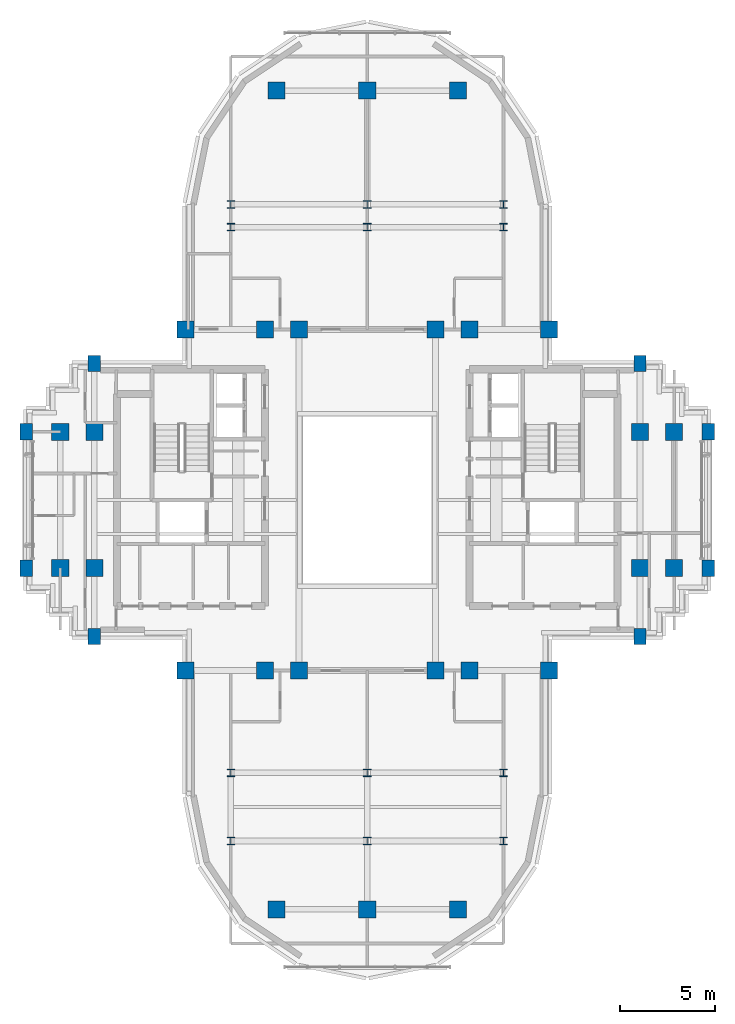
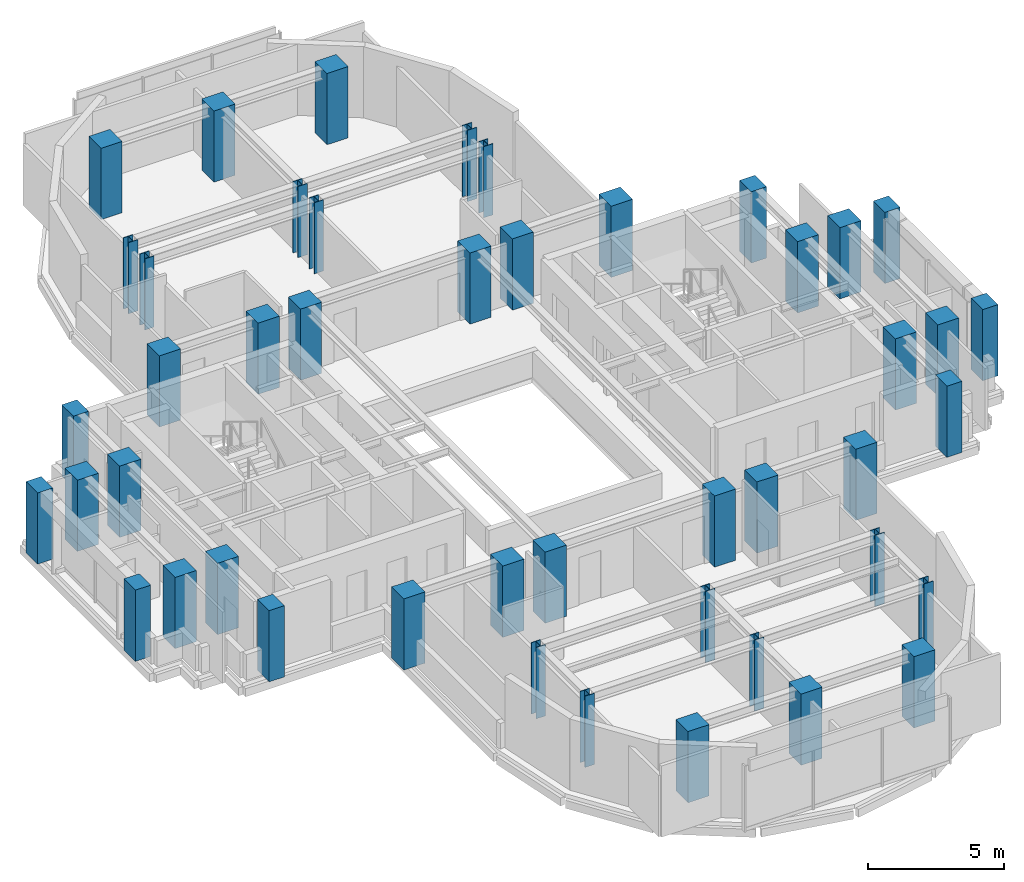
# One storey, part 1 of 12: 46 columns.
"""IFC4 building model written with IfcOpenShell, lengths in metres."""

import ifcopenshell
import ifcopenshell.guid

model = None  # the IFC model being written
_history = None  # IfcOwnerHistory: only IFC2X3 demands one
_inside = {}  # id of a spatial element -> (the spatial element, [elements in it])
_under = {}  # id of a project, library or spatial element -> (it, [spatial elements below it])
_declared = {}  # id of a project -> (the project, [libraries it declares])
_typed = {}  # id of a type object -> (the type object, [elements of that type])
_made_of = {}  # id of a material, layer set ... -> (it, [elements and type objects made of it])


def new_model(schema):
    """Start an empty IFC model of exactly this schema.

    Asked for "IFC4X3", IfcOpenShell would pick the latest addendum, in which some entities
    have other attributes; the version numbers below select the first issue.
    IFC2X3 requires an IfcOwnerHistory on every rooted entity: one is made here for all.
    """
    global model, _history
    if schema == "IFC4X3":
        model = ifcopenshell.file(schema_version=(4, 3, 0, 0))
    else:
        model = ifcopenshell.file(schema=schema)
    _inside.clear()
    _under.clear()
    _declared.clear()
    _typed.clear()
    _made_of.clear()
    _history = None
    if model.schema == "IFC2X3":
        org = make("IfcOrganization", Name="unknown")
        user = make(
            "IfcPersonAndOrganization",
            ThePerson=make("IfcPerson", FamilyName="unknown"),
            TheOrganization=org,
        )
        app = make(
            "IfcApplication",
            ApplicationDeveloper=org,
            Version="unknown",
            ApplicationFullName="unknown",
            ApplicationIdentifier="unknown",
        )
        _history = make(
            "IfcOwnerHistory",
            OwningUser=user,
            OwningApplication=app,
            ChangeAction="ADDED",
            CreationDate=0,
        )
    return model


def make(cls, **values):
    """One entity of the class cls with the attributes given. An attribute that is None is left unset."""
    return model.create_entity(
        cls, **{name: value for name, value in values.items() if value is not None}
    )


def rooted(cls, **values):
    """An entity with a GlobalId (a new one), such as an element, a storey or a relation."""
    return make(cls, GlobalId=ifcopenshell.guid.new(), OwnerHistory=_history, **values)


def si_unit(unit_type, name, prefix=None):
    """IfcSIUnit, for example si_unit("LENGTHUNIT", "METRE", prefix="MILLI")."""
    return make("IfcSIUnit", UnitType=unit_type, Prefix=prefix, Name=name)


def assignment(units):
    """IfcUnitAssignment: the units of a project."""
    return None if units is None else make("IfcUnitAssignment", Units=units)


def point(xyz):
    """IfcCartesianPoint."""
    return None if xyz is None else make("IfcCartesianPoint", Coordinates=xyz)


def direction(xyz):
    """IfcDirection."""
    return None if xyz is None else make("IfcDirection", DirectionRatios=xyz)


def frame(location, z_axis=None, x_axis=None):
    """IfcAxis2Placement3D, a coordinate frame: its origin and axes. An axis left out is left unset."""
    return make(
        "IfcAxis2Placement3D",
        Location=point(location),
        Axis=direction(z_axis),
        RefDirection=direction(x_axis),
    )


def frame_2d(location, x_axis=None):
    """IfcAxis2Placement2D, a coordinate frame in the plane: its origin and x axis."""
    return make(
        "IfcAxis2Placement2D", Location=point(location), RefDirection=direction(x_axis)
    )


def origin():
    """The frame at (0, 0, 0) with its axes left unset."""
    return frame((0.0, 0.0, 0.0))


def origin_2d():
    """The frame at (0, 0) in the plane with its x axis left unset."""
    return frame_2d((0.0, 0.0))


def place(relative_to, where):
    """IfcLocalPlacement: puts the frame where relative to a parent placement (None: the world)."""
    return make(
        "IfcLocalPlacement", PlacementRelTo=relative_to, RelativePlacement=where
    )


def context(
    kind, dimensions, precision=None, world=None, true_north=None, identifier=None
):
    """IfcGeometricRepresentationContext, for example the 3D "Model" context."""
    return make(
        "IfcGeometricRepresentationContext",
        ContextIdentifier=identifier,
        ContextType=kind,
        CoordinateSpaceDimension=dimensions,
        Precision=precision,
        WorldCoordinateSystem=world,
        TrueNorth=true_north,
    )


def subcontext(parent, identifier, kind, view, scale=None):
    """IfcGeometricRepresentationSubContext, for example "Body" below "Model"."""
    return make(
        "IfcGeometricRepresentationSubContext",
        ContextIdentifier=identifier,
        ContextType=kind,
        ParentContext=parent,
        TargetScale=scale,
        TargetView=view,
    )


def project(units=None, contexts=None):
    """IfcProject with its units and contexts."""
    return rooted(
        "IfcProject",
        Name="project",
        RepresentationContexts=contexts,
        UnitsInContext=assignment(units),
    )


def spatial(cls, under=None, at=None, **own):
    """A site, building, storey or space (cls), placed at a placement, below another one or the project."""
    s = rooted(cls, ObjectPlacement=at, **own)
    if under is not None:
        _under.setdefault(under.id(), (under, []))[1].append(s)
    return s


def profile(cls, at=None, kind="AREA", **sizes):
    """A parametric profile (cls). Its sizes go by their IFC names, for example OverallWidth=200.0."""
    return make(cls, ProfileType=kind, Position=at, **sizes)


def rectangle(**sizes):
    """IfcRectangleProfileDef."""
    return profile("IfcRectangleProfileDef", **sizes)


def i_section(**sizes):
    """IfcIShapeProfileDef."""
    return profile("IfcIShapeProfileDef", **sizes)


def extrude(swept, where, along, depth):
    """IfcExtrudedAreaSolid: the profile swept, set in the frame where, extruded along a direction by depth."""
    return make(
        "IfcExtrudedAreaSolid",
        SweptArea=swept,
        Position=where,
        ExtrudedDirection=direction(along),
        Depth=depth,
    )


def shape(context_of_items, identifier, shape_type, items):
    """IfcShapeRepresentation: the items that make up one representation, for example the "Body"."""
    return make(
        "IfcShapeRepresentation",
        ContextOfItems=context_of_items,
        RepresentationIdentifier=identifier,
        RepresentationType=shape_type,
        Items=items,
    )


def source(mapping_origin, context_of_items, identifier, shape_type, items):
    """IfcRepresentationMap: a shape defined once, which mapped items show again and again."""
    return make(
        "IfcRepresentationMap",
        MappingOrigin=mapping_origin,
        MappedRepresentation=shape(context_of_items, identifier, shape_type, items),
    )


def transform(
    local_origin,
    x_axis=None,
    y_axis=None,
    z_axis=None,
    scale=None,
    scale2=None,
    scale3=None,
    uniform=True,
):
    """IfcCartesianTransformationOperator3D, or its non-uniform kind. x_axis, y_axis, z_axis: its Axis1, 2, 3."""
    if uniform:
        return make(
            "IfcCartesianTransformationOperator3D",
            Axis1=direction(x_axis),
            Axis2=direction(y_axis),
            LocalOrigin=point(local_origin),
            Scale=scale,
            Axis3=direction(z_axis),
        )
    return make(
        "IfcCartesianTransformationOperator3DnonUniform",
        Axis1=direction(x_axis),
        Axis2=direction(y_axis),
        LocalOrigin=point(local_origin),
        Scale=scale,
        Axis3=direction(z_axis),
        Scale2=scale2,
        Scale3=scale3,
    )


def mapped(mapping_source, mapping_target):
    """IfcMappedItem: shows the shape of a source again, moved by a transform."""
    return make(
        "IfcMappedItem", MappingSource=mapping_source, MappingTarget=mapping_target
    )


def material(Name=None, Category=None):
    """IfcMaterial."""
    return make("IfcMaterial", Name=Name, Category=Category)


def material_profile(
    of_material, cross_section, Name=None, Category=None, Priority=None
):
    """IfcMaterialProfile: a cross section and its material."""
    return make(
        "IfcMaterialProfile",
        Name=Name,
        Material=of_material,
        Profile=cross_section,
        Priority=Priority,
        Category=Category,
    )


def profile_set(profiles, Name=None, composite=None):
    """IfcMaterialProfileSet."""
    return make(
        "IfcMaterialProfileSet",
        Name=Name,
        MaterialProfiles=profiles,
        CompositeProfile=composite,
    )


def made_of(thing, what):
    """Note that an element or type object is made of a material, layer set ...; save() writes the relation."""
    if what is not None:
        _made_of.setdefault(what.id(), (what, []))[1].append(thing)
    return thing


def type_object(cls, material=None, **own):
    """A type object (cls), such as IfcWallType, which elements share."""
    return made_of(rooted(cls, **own), material)


def element(
    cls,
    number,
    at=None,
    inside=None,
    cuts=None,
    type_object=None,
    material=None,
    context=None,
    identifier="Body",
    shape_type=None,
    held_by="IfcProductDefinitionShape",
    body=None,
    shapes=None,
    **own,
):
    """One element of the class cls, such as IfcWall. Its Tag is "e" and its number.

    at: its placement. inside: the storey or other place that contains it. cuts: it is an
    opening in that element (IfcRelVoidsElement). A single representation is given by context,
    identifier, shape_type and body (its items); several are given by shapes. held_by: the class
    of the entity that holds the representations. save() writes the other relations.
    """
    e = rooted(cls, Tag="e%d" % number, ObjectPlacement=at, **own)
    if body is not None:
        shapes = [shape(context, identifier, shape_type, body)]
    if shapes is not None:
        e.Representation = make(held_by, Representations=shapes)
    if inside is not None:
        _inside.setdefault(inside.id(), (inside, []))[1].append(e)
    if cuts is not None:
        rooted(
            "IfcRelVoidsElement", RelatingBuildingElement=cuts, RelatedOpeningElement=e
        )
    if type_object is not None:
        _typed.setdefault(type_object.id(), (type_object, []))[1].append(e)
    return made_of(e, material)


def aggregate(whole, parts):
    """IfcRelAggregates: a whole, such as a stair, and the parts it consists of."""
    return rooted("IfcRelAggregates", RelatingObject=whole, RelatedObjects=parts)


def save(model, path):
    """Write the relations noted so far, then the file.

    IfcRelAggregates (storeys below a building ...), IfcRelContainedInSpatialStructure (elements
    in a storey), IfcRelDefinesByType, IfcRelAssociatesMaterial and IfcRelDeclares: one each for
    every whole, place, type object, material and project.
    """
    for whole, parts in _under.values():
        aggregate(whole, parts)
    for where, things in _inside.values():
        rooted(
            "IfcRelContainedInSpatialStructure",
            RelatedElements=things,
            RelatingStructure=where,
        )
    for kind, things in _typed.values():
        rooted("IfcRelDefinesByType", RelatedObjects=things, RelatingType=kind)
    for what, things in _made_of.values():
        rooted("IfcRelAssociatesMaterial", RelatedObjects=things, RelatingMaterial=what)
    for by, libraries in _declared.values():
        rooted("IfcRelDeclares", RelatingContext=by, RelatedDefinitions=libraries)
    model.write(path)


model = new_model("IFC4")

# Units and contexts
model_context = context("Model", 3, precision=1e-05, world=origin(), true_north=direction((0.0, 1.0)))
body_context = subcontext(model_context, "Body", "Model", "MODEL_VIEW")
ifc_project = project(units=[si_unit("LENGTHUNIT", "METRE"), si_unit("AREAUNIT", "SQUARE_METRE"), si_unit("VOLUMEUNIT", "CUBIC_METRE"), si_unit("PLANEANGLEUNIT", "RADIAN"), si_unit("MASSUNIT", "GRAM", prefix="KILO")], contexts=[model_context])

# Site, building, storey
site_placement = place(None, origin())
site = spatial("IfcSite", under=ifc_project, at=site_placement, CompositionType="ELEMENT")
building_placement = place(site_placement, origin())
building = spatial("IfcBuilding", under=site, at=building_placement, Name="Keilestroom Media Tower", CompositionType="ELEMENT")
storey_placement = place(building_placement, frame((0.0, 0.0, 191.0)))
storey = spatial("IfcBuildingStorey", under=building, at=storey_placement, Name="L52", CompositionType="ELEMENT", Elevation=191.0)

# Columns
ifc_material_1 = material(Name="Precast concrete C40/50", Category="concrete")
ifc_material_profile_1 = material_profile(ifc_material_1, rectangle(XDim=0.64990234375, YDim=0.85009765625, at=origin_2d()), Name="PC 850x650")
ifc_profile_set_1 = profile_set([ifc_material_profile_1], Name="Precast concrete C40/50")
column_type_1 = type_object("IfcColumnType", Name="Structural-Column-PC-850x650", PredefinedType="COLUMN", material=ifc_profile_set_1)
shared_shape_1 = source(origin(), body_context, "Body", "SweptSolid", [
    extrude(rectangle(XDim=0.64990234375, YDim=0.85009765625, at=origin_2d()), origin(), (0.0, 0.0, 1.0), 3.199951171875),
])
for number, where, z_axis, x_axis, name in (
    (1, (-18.0, -3.60009765625, 0.0), (0.0, 0.0, 1.0), (1.0, 0.0, 0.0), "L52 Column PC-2 (-18.0,-3.6)"),
    (2, (-18.0, 3.60009765625, 0.0), (0.0, 0.0, 1.0), (1.0, 0.0, 0.0), "L52 Column PC-2 (-18.0,+3.6)"),
    (3, (-14.39990234375, -7.199951171875, 0.0), (0.0, 0.0, 1.0), (1.0, 0.0, 0.0), "L52 Column PC-2 (-14.4,-7.2)"),
    (4, (-14.39990234375, 7.199951171875, 0.0), (0.0, 0.0, 1.0), (1.0, 0.0, 0.0), "L52 Column PC-2 (-14.4,+7.2)"),
    (5, (14.39990234375, -7.199951171875, 0.0), (0.0, 0.0, 1.0), (1.0, 0.0, 0.0), "L52 Column PC-2 (+14.4,-7.2)"),
    (6, (14.39990234375, 7.199951171875, 0.0), (0.0, 0.0, 1.0), (1.0, 0.0, 0.0), "L52 Column PC-2 (+14.4,+7.2)"),
    (7, (18.0, -3.60009765625, 0.0), (0.0, 0.0, 1.0), (1.0, 0.0, 0.0), "L52 Column PC-2 (+18.0,-3.6)"),
    (8, (18.0, 3.60009765625, 0.0), (0.0, 0.0, 1.0), (1.0, 0.0, 0.0), "L52 Column PC-2 (+18.0,+3.6)"),
):
    element("IfcColumn", number, at=place(storey_placement, frame(where, z_axis=z_axis, x_axis=x_axis)), inside=storey, type_object=column_type_1, Name=name, PredefinedType="COLUMN", context=body_context, shape_type="MappedRepresentation", body=[
        mapped(shared_shape_1, transform((0.0, 0.0, 0.0), x_axis=(1.0, 0.0, 0.0), y_axis=(0.0, 1.0, 0.0), z_axis=(0.0, 0.0, 1.0), scale=1.0)),
    ])
ifc_material_2 = material(Name="Concrete C55/67", Category="concrete")
ifc_material_profile_2 = material_profile(ifc_material_2, rectangle(XDim=0.89990234375, YDim=0.89990234375, at=origin_2d()), Name="RC 900x900")
ifc_profile_set_2 = profile_set([ifc_material_profile_2], Name="Concrete C55/67")
column_type_2 = type_object("IfcColumnType", Name="Structural-Column-RC-900x900", PredefinedType="COLUMN", material=ifc_profile_set_2)
shared_shape_2 = source(origin(), body_context, "Body", "SweptSolid", [
    extrude(rectangle(XDim=0.89990234375, YDim=0.89990234375, at=origin_2d()), origin(), (0.0, 0.0, 1.0), 3.199951171875),
])
for number, where, z_axis, x_axis, name in (
    (9, (-16.199951171875, -3.60009765625, 0.0), (0.0, 0.0, 1.0), (1.0, 0.0, 0.0), "L52 Column MC-4 (-16.2,-3.6)"),
    (10, (-16.199951171875, 3.60009765625, 0.0), (0.0, 0.0, 1.0), (1.0, 0.0, 0.0), "L52 Column MC-4 (-16.2,+3.6)"),
    (11, (-14.39990234375, -3.60009765625, 0.0), (0.0, 0.0, 1.0), (1.0, 0.0, 0.0), "L52 Column MC-4 (-14.4,-3.6)"),
    (12, (-14.39990234375, 3.60009765625, 0.0), (0.0, 0.0, 1.0), (1.0, 0.0, 0.0), "L52 Column MC-4 (-14.4,+3.6)"),
    (13, (-9.60009765625, -9.0, 0.0), (0.0, 0.0, 1.0), (1.0, 0.0, 0.0), "L52 Column MC-4 (-9.6,-9.0)"),
    (14, (-9.60009765625, 9.0, 0.0), (0.0, 0.0, 1.0), (1.0, 0.0, 0.0), "L52 Column MC-4 (-9.6,+9.0)"),
    (15, (-5.39990234375, -9.0, 0.0), (0.0, 0.0, 1.0), (1.0, 0.0, 0.0), "L52 Column MC-4 (-5.4,-9.0)"),
    (16, (-5.39990234375, 9.0, 0.0), (0.0, 0.0, 1.0), (1.0, 0.0, 0.0), "L52 Column MC-4 (-5.4,+9.0)"),
    (17, (-4.800048828125, -21.60009765625, 0.0), (0.0, 0.0, 1.0), (1.0, 0.0, 0.0), "L52 Column MC-4 (-4.8,-21.6)"),
    (18, (-4.800048828125, 21.60009765625, 0.0), (0.0, 0.0, 1.0), (1.0, 0.0, 0.0), "L52 Column MC-4 (-4.8,+21.6)"),
    (19, (-3.60009765625, -9.0, 0.0), (0.0, 0.0, 1.0), (1.0, 0.0, 0.0), "L52 Column MC-4 (-3.6,-9.0)"),
    (20, (-3.60009765625, 9.0, 0.0), (0.0, 0.0, 1.0), (1.0, 0.0, 0.0), "L52 Column MC-4 (-3.6,+9.0)"),
    (21, (0.0, -21.60009765625, 0.0), (0.0, 0.0, 1.0), (1.0, 0.0, 0.0), "L52 Column MC-4 (+0.0,-21.6)"),
    (22, (0.0, 21.60009765625, 0.0), (0.0, 0.0, 1.0), (1.0, 0.0, 0.0), "L52 Column MC-4 (+0.0,+21.6)"),
    (23, (3.60009765625, -9.0, 0.0), (0.0, 0.0, 1.0), (1.0, 0.0, 0.0), "L52 Column MC-4 (+3.6,-9.0)"),
    (24, (3.60009765625, 9.0, 0.0), (0.0, 0.0, 1.0), (1.0, 0.0, 0.0), "L52 Column MC-4 (+3.6,+9.0)"),
    (25, (4.800048828125, -21.60009765625, 0.0), (0.0, 0.0, 1.0), (1.0, 0.0, 0.0), "L52 Column MC-4 (+4.8,-21.6)"),
    (26, (4.800048828125, 21.60009765625, 0.0), (0.0, 0.0, 1.0), (1.0, 0.0, 0.0), "L52 Column MC-4 (+4.8,+21.6)"),
    (27, (5.39990234375, -9.0, 0.0), (0.0, 0.0, 1.0), (1.0, 0.0, 0.0), "L52 Column MC-4 (+5.4,-9.0)"),
    (28, (5.39990234375, 9.0, 0.0), (0.0, 0.0, 1.0), (1.0, 0.0, 0.0), "L52 Column MC-4 (+5.4,+9.0)"),
    (29, (9.60009765625, -9.0, 0.0), (0.0, 0.0, 1.0), (1.0, 0.0, 0.0), "L52 Column MC-4 (+9.6,-9.0)"),
    (30, (9.60009765625, 9.0, 0.0), (0.0, 0.0, 1.0), (1.0, 0.0, 0.0), "L52 Column MC-4 (+9.6,+9.0)"),
    (31, (14.39990234375, -3.60009765625, 0.0), (0.0, 0.0, 1.0), (1.0, 0.0, 0.0), "L52 Column MC-4 (+14.4,-3.6)"),
    (32, (14.39990234375, 3.60009765625, 0.0), (0.0, 0.0, 1.0), (1.0, 0.0, 0.0), "L52 Column MC-4 (+14.4,+3.6)"),
    (33, (16.199951171875, -3.60009765625, 0.0), (0.0, 0.0, 1.0), (1.0, 0.0, 0.0), "L52 Column MC-4 (+16.2,-3.6)"),
    (34, (16.199951171875, 3.60009765625, 0.0), (0.0, 0.0, 1.0), (1.0, 0.0, 0.0), "L52 Column MC-4 (+16.2,+3.6)"),
):
    element("IfcColumn", number, at=place(storey_placement, frame(where, z_axis=z_axis, x_axis=x_axis)), inside=storey, type_object=column_type_2, Name=name, PredefinedType="COLUMN", context=body_context, shape_type="MappedRepresentation", body=[
        mapped(shared_shape_2, transform((0.0, 0.0, 0.0), x_axis=(1.0, 0.0, 0.0), y_axis=(0.0, 1.0, 0.0), z_axis=(0.0, 0.0, 1.0), scale=1.0)),
    ])
ifc_material_3 = material(Name="Steel S355", Category="steel")
ifc_material_profile_3 = material_profile(ifc_material_3, i_section(OverallWidth=0.39794921875, OverallDepth=0.386962890625, WebThickness=0.017578125, FlangeThickness=0.028076171875, at=origin_2d()), Name="HD 400x262")
ifc_profile_set_3 = profile_set([ifc_material_profile_3], Name="Steel S355")
column_type_3 = type_object("IfcColumnType", Name="Structural-Column-HD-400x262", PredefinedType="COLUMN", material=ifc_profile_set_3)
shared_shape_3 = source(origin(), body_context, "Body", "SweptSolid", [
    extrude(i_section(OverallWidth=0.39794921875, OverallDepth=0.386962890625, WebThickness=0.017578125, FlangeThickness=0.028076171875, at=origin_2d()), origin(), (0.0, 0.0, 1.0), 3.199951171875),
])
for number, where, z_axis, x_axis, name in (
    (35, (-7.199951171875, -18.0, 0.0), (0.0, 0.0, 1.0), (1.0, 0.0, 0.0), "L52 Column SC-4 (-7.2,-18.0)"),
    (36, (-7.199951171875, -14.39990234375, 0.0), (0.0, 0.0, 1.0), (1.0, 0.0, 0.0), "L52 Column SC-4 (-7.2,-14.4)"),
    (37, (-7.199951171875, 14.39990234375, 0.0), (0.0, 0.0, 1.0), (1.0, 0.0, 0.0), "L52 Column SC-4 (-7.2,+14.4)"),
    (38, (-7.199951171875, 15.60009765625, 0.0), (0.0, 0.0, 1.0), (1.0, 0.0, 0.0), "L52 Column SC-4 (-7.2,+15.6)"),
    (39, (0.0, -18.0, 0.0), (0.0, 0.0, 1.0), (1.0, 0.0, 0.0), "L52 Column SC-4 (+0.0,-18.0)"),
    (40, (0.0, -14.39990234375, 0.0), (0.0, 0.0, 1.0), (1.0, 0.0, 0.0), "L52 Column SC-4 (+0.0,-14.4)"),
    (41, (0.0, 14.39990234375, 0.0), (0.0, 0.0, 1.0), (1.0, 0.0, 0.0), "L52 Column SC-4 (+0.0,+14.4)"),
    (42, (0.0, 15.60009765625, 0.0), (0.0, 0.0, 1.0), (1.0, 0.0, 0.0), "L52 Column SC-4 (+0.0,+15.6)"),
    (43, (7.199951171875, -18.0, 0.0), (0.0, 0.0, 1.0), (1.0, 0.0, 0.0), "L52 Column SC-4 (+7.2,-18.0)"),
    (44, (7.199951171875, -14.39990234375, 0.0), (0.0, 0.0, 1.0), (1.0, 0.0, 0.0), "L52 Column SC-4 (+7.2,-14.4)"),
    (45, (7.199951171875, 14.39990234375, 0.0), (0.0, 0.0, 1.0), (1.0, 0.0, 0.0), "L52 Column SC-4 (+7.2,+14.4)"),
    (46, (7.199951171875, 15.60009765625, 0.0), (0.0, 0.0, 1.0), (1.0, 0.0, 0.0), "L52 Column SC-4 (+7.2,+15.6)"),
):
    element("IfcColumn", number, at=place(storey_placement, frame(where, z_axis=z_axis, x_axis=x_axis)), inside=storey, type_object=column_type_3, Name=name, PredefinedType="COLUMN", context=body_context, shape_type="MappedRepresentation", body=[
        mapped(shared_shape_3, transform((0.0, 0.0, 0.0), x_axis=(1.0, 0.0, 0.0), y_axis=(0.0, 1.0, 0.0), z_axis=(0.0, 0.0, 1.0), scale=1.0)),
    ])

save(model, "model.ifc")
